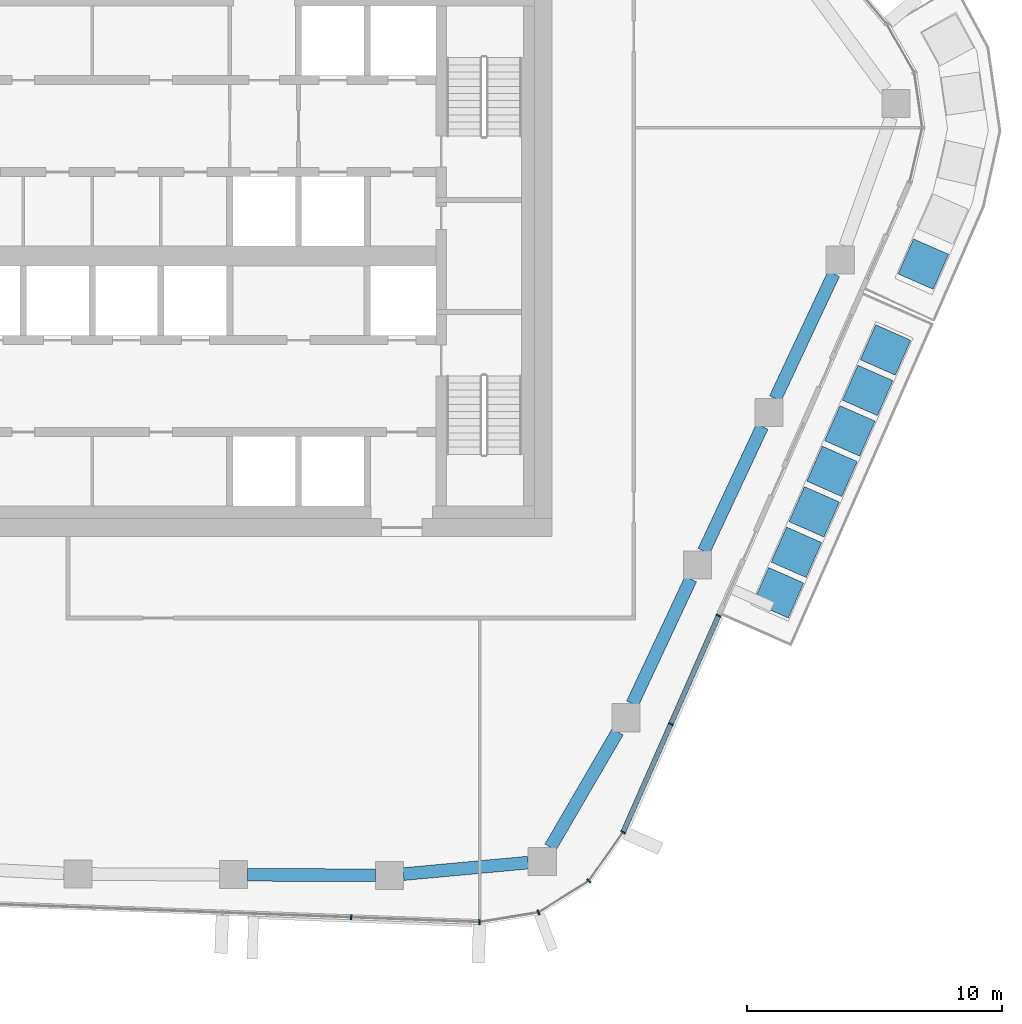
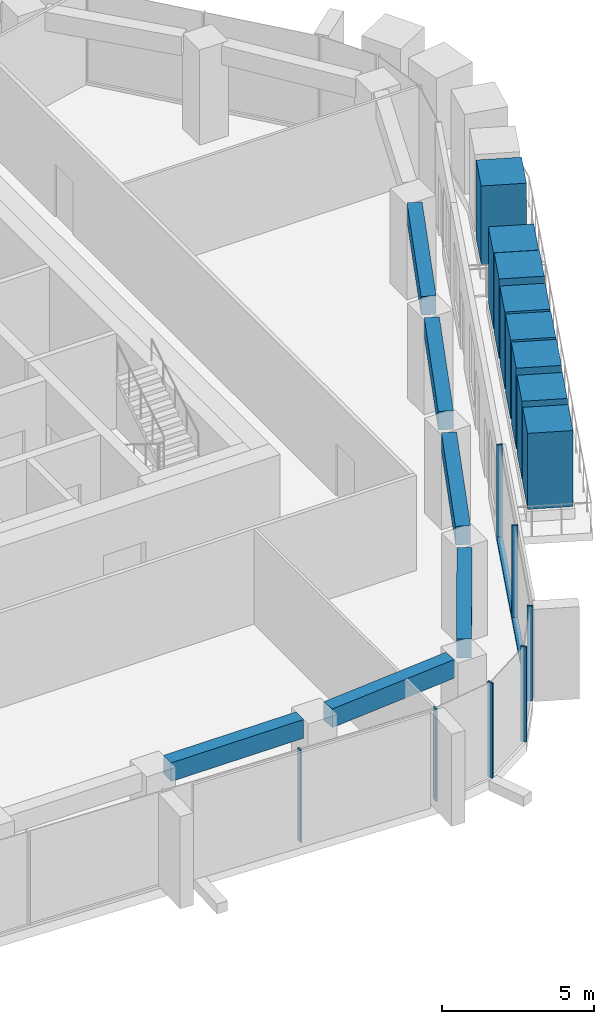
# One storey, part 5 of 21: 16 members, 6 beams, 3 elements without a shape of their own.
"""IFC4 building model written with IfcOpenShell, lengths in metres."""

from ifc_helpers import new_model, si_unit, direction, frame, origin, origin_2d, place, context, subcontext, project, spatial, rectangle, extrude, material, layer, layer_set, material_profile, profile_set, type_object, element, aggregate, save


model = new_model("IFC4")

# Units and contexts
model_context = context("Model", 3, precision=1e-05, world=origin(), true_north=direction((0.0, 1.0)))
body_context = subcontext(model_context, "Body", "Model", "MODEL_VIEW")
ifc_project = project(units=[si_unit("LENGTHUNIT", "METRE"), si_unit("AREAUNIT", "SQUARE_METRE"), si_unit("VOLUMEUNIT", "CUBIC_METRE"), si_unit("PLANEANGLEUNIT", "RADIAN"), si_unit("MASSUNIT", "GRAM", prefix="KILO")], contexts=[model_context])

# Site, building, storey
site_placement = place(None, origin())
site = spatial("IfcSite", under=ifc_project, at=site_placement, CompositionType="ELEMENT")
building_placement = place(site_placement, origin())
building = spatial("IfcBuilding", under=site, at=building_placement, Name="Dongbaek Canopy Tower", CompositionType="ELEMENT")
storey_placement = place(building_placement, frame((0.0, 0.0, 270.60009765625)))
storey = spatial("IfcBuildingStorey", under=building, at=storey_placement, Name="L57", CompositionType="ELEMENT", Elevation=270.60009765625)

# Curtain wall, members
ifc_material_1 = material(Name="Aluminium 6063-T6 pale anodised", Category="aluminium")
ifc_layer = layer(ifc_material_1, 0.199951171875)
ifc_layer_set = layer_set([ifc_layer], Name="CW-1 unitised tower curtain wall")
curtain_wall_type = type_object("IfcCurtainWallType", Name="CW-1 unitised tower curtain wall", PredefinedType="NOTDEFINED", material=ifc_layer_set)
curtain_wall_1_placement = place(storey_placement, origin())
curtain_wall_1 = element("IfcCurtainWall", 1, at=curtain_wall_1_placement, inside=storey, type_object=curtain_wall_type, Name="CW-1 curtain wall F4.1", PredefinedType="NOTDEFINED")
ifc_material_2 = material(Name="Aluminium 6063-T6 pale anodised", Category="aluminium")
ifc_material_profile_1 = material_profile(ifc_material_2, rectangle(XDim=0.199951171875, YDim=0.06005859375, at=origin_2d()), Name="CW-1 mullion 60 x 200")
ifc_profile_set_1 = profile_set([ifc_material_profile_1], Name="Aluminium 6063-T6 pale anodised")
member_type_1 = type_object("IfcMemberType", Name="CW-1 mullion 60 x 200", PredefinedType="MULLION", material=ifc_profile_set_1)
member_1_placement = place(storey_placement, frame((6.1162109375, -25.944091796875, 0.119873046875), z_axis=(0.0, 0.0, 1.0), x_axis=(-0.036873891921, -0.999319926798, 0.0)))
member_1 = element("IfcMember", 2, at=member_1_placement, type_object=member_type_1, Name="CW-1 mullion F4.1.4", PredefinedType="MULLION", context=body_context, shape_type="SweptSolid", body=[
    extrude(rectangle(XDim=0.199951171875, YDim=0.06005859375, at=origin_2d()), origin(), (0.0, 0.0, 1.0), 3.699951171875),
])
member_2_placement = place(storey_placement, frame((11.155029296875, -26.1298828125, 0.119873046875), z_axis=(0.0, 0.0, 1.0), x_axis=(-0.036873891921, -0.999319926798, 0.0)))
member_2 = element("IfcMember", 3, at=member_2_placement, type_object=member_type_1, Name="CW-1 mullion F4.1.5", PredefinedType="MULLION", context=body_context, shape_type="SweptSolid", body=[
    extrude(rectangle(XDim=0.199951171875, YDim=0.06005859375, at=origin_2d()), origin(), (0.0, 0.0, 1.0), 3.699951171875),
])
aggregate(curtain_wall_1, [member_1, member_2])

curtain_wall_2_placement = place(storey_placement, origin())
curtain_wall_2 = element("IfcCurtainWall", 4, at=curtain_wall_2_placement, inside=storey, type_object=curtain_wall_type, Name="CW-1 curtain wall K5.1", PredefinedType="NOTDEFINED")
member_3_placement = place(storey_placement, frame((13.4638671875, -25.7529296875, 0.0), z_axis=(0.0, 0.0, 1.0), x_axis=(0.352874596106, -0.9356706255, 0.0)))
member_3 = element("IfcMember", 5, at=member_3_placement, type_object=member_type_1, Name="CW-1 mullion K5.1.2", PredefinedType="MULLION", context=body_context, shape_type="SweptSolid", body=[
    extrude(rectangle(XDim=0.199951171875, YDim=0.06005859375, at=origin_2d()), origin(), (0.0, 0.0, 1.0), 3.81982421875),
])
member_4_placement = place(storey_placement, frame((15.43798828125, -24.516845703125, 0.0), z_axis=(0.0, 0.0, 1.0), x_axis=(0.687590485044, -0.726098701884, 0.0)))
member_4 = element("IfcMember", 6, at=member_4_placement, type_object=member_type_1, Name="CW-1 mullion K5.1.3", PredefinedType="MULLION", context=body_context, shape_type="SweptSolid", body=[
    extrude(rectangle(XDim=0.199951171875, YDim=0.06005859375, at=origin_2d()), origin(), (0.0, 0.0, 1.0), 3.81982421875),
])
member_5_placement = place(storey_placement, frame((16.78564453125, -22.604736328125, 0.0), z_axis=(0.0, 0.0, 1.0), x_axis=(0.817425439524, -0.576034418085, 0.0)))
member_5 = element("IfcMember", 7, at=member_5_placement, type_object=member_type_1, Name="CW-1 mullion K5.1.4", PredefinedType="MULLION", context=body_context, shape_type="SweptSolid", body=[
    extrude(rectangle(XDim=0.199951171875, YDim=0.06005859375, at=origin_2d()), origin(), (0.0, 0.0, 1.0), 3.81982421875),
])
aggregate(curtain_wall_2, [member_3, member_4, member_5])

curtain_wall_3_placement = place(storey_placement, origin())
curtain_wall_3 = element("IfcCurtainWall", 8, at=curtain_wall_3_placement, inside=storey, type_object=curtain_wall_type, Name="CW-1 curtain wall F5.1", PredefinedType="NOTDEFINED")
member_6_placement = place(storey_placement, frame((18.656005859375, -18.3603515625, 0.119873046875), z_axis=(0.0, 0.0, 1.0), x_axis=(0.915073119112, -0.403287969917, 0.0)))
member_6 = element("IfcMember", 9, at=member_6_placement, type_object=member_type_1, Name="CW-1 mullion F5.1.2", PredefinedType="MULLION", context=body_context, shape_type="SweptSolid", body=[
    extrude(rectangle(XDim=0.199951171875, YDim=0.06005859375, at=origin_2d()), origin(), (0.0, 0.0, 1.0), 3.699951171875),
])
member_7_placement = place(storey_placement, frame((20.530517578125, -14.107177734375, 0.119873046875), z_axis=(0.0, 0.0, 1.0), x_axis=(0.915073119112, -0.403287969917, 0.0)))
member_7 = element("IfcMember", 10, at=member_7_placement, type_object=member_type_1, Name="CW-1 mullion F5.1.3", PredefinedType="MULLION", context=body_context, shape_type="SweptSolid", body=[
    extrude(rectangle(XDim=0.199951171875, YDim=0.06005859375, at=origin_2d()), origin(), (0.0, 0.0, 1.0), 3.699951171875),
])
ifc_material_3 = material(Name="Aluminium 6063-T6 pale anodised", Category="aluminium")
ifc_material_profile_2 = material_profile(ifc_material_3, rectangle(XDim=0.199951171875, YDim=0.1201171875, at=origin_2d()), Name="CW-1 transom 120 x 200")
ifc_profile_set_2 = profile_set([ifc_material_profile_2], Name="Aluminium 6063-T6 pale anodised")
member_type_2 = type_object("IfcMemberType", Name="CW-1 transom 120 x 200", PredefinedType="USERDEFINED", material=ifc_profile_set_2)
member_8_placement = place(storey_placement, frame((16.78564453125, -22.604736328125, 0.059814453125), z_axis=(0.403275110691, 0.915078786278, 0.0), x_axis=(-0.915078786278, 0.403275110691, 0.0)))
member_8 = element("IfcMember", 11, at=member_8_placement, type_object=member_type_2, Name="CW-1 transom F5.1.1", ObjectType="TRANSOM", PredefinedType="USERDEFINED", context=body_context, shape_type="SweptSolid", body=[
    extrude(rectangle(XDim=0.199951171875, YDim=0.1201171875, at=origin_2d()), origin(), (0.0, 0.0, 1.0), 9.2861328125),
])
aggregate(curtain_wall_3, [member_6, member_7, member_8])

# Beams
ifc_material_4 = material(Name="Concrete C70", Category="concrete")
ifc_material_profile_3 = material_profile(ifc_material_4, rectangle(XDim=0.5, YDim=0.75, at=origin_2d()), Name="RC EDGE BEAM 500x750 C70")
ifc_profile_set_3 = profile_set([ifc_material_profile_3], Name="Concrete C70")
beam_type = type_object("IfcBeamType", Name="RC EDGE BEAM 500x750 C70", PredefinedType="BEAM", material=ifc_profile_set_3)
beam_1_placement = place(storey_placement, frame((13.06201171875, -23.796875, 3.44482421875), z_axis=(-0.995758214652, -0.092008575434, 0.0), x_axis=(0.092008575434, -0.995758214652, 0.0)))
element("IfcBeam", 12, at=beam_1_placement, inside=storey, type_object=beam_type, Name="EDGEBEAM:L57:00", PredefinedType="BEAM", context=body_context, shape_type="SweptSolid", body=[
    extrude(rectangle(XDim=0.5, YDim=0.75, at=origin_2d()), origin(), (0.0, 0.0, 1.0), 4.916748046875),
])
beam_2_placement = place(storey_placement, frame((7.06591796875, -24.297607421875, 3.44482421875), z_axis=(-0.999989301171, 0.004625747851, 0.0), x_axis=(-0.004625747851, -0.999989301171, 0.0)))
element("IfcBeam", 13, at=beam_2_placement, inside=storey, type_object=beam_type, Name="EDGEBEAM:L57:01", PredefinedType="BEAM", context=body_context, shape_type="SweptSolid", body=[
    extrude(rectangle(XDim=0.5, YDim=0.75, at=origin_2d()), origin(), (0.0, 0.0, 1.0), 5.013916015625),
])
beam_3_placement = place(storey_placement, frame((25.04443359375, -0.701904296875, 3.44482421875), z_axis=(-0.423972479832, -0.905675072167, 0.0), x_axis=(0.905675072167, -0.423972479832, 0.0)))
element("IfcBeam", 14, at=beam_3_placement, inside=storey, type_object=beam_type, Name="EDGEBEAM:L57:22", PredefinedType="BEAM", context=body_context, shape_type="SweptSolid", body=[
    extrude(rectangle(XDim=0.5, YDim=0.75, at=origin_2d()), origin(), (0.0, 0.0, 1.0), 5.396240234375),
])
beam_4_placement = place(storey_placement, frame((22.241455078125, -6.68896484375, 3.44482421875), z_axis=(-0.424105880993, -0.905612611279, 0.0), x_axis=(0.905612611279, -0.424105880993, 0.0)))
element("IfcBeam", 15, at=beam_4_placement, inside=storey, type_object=beam_type, Name="EDGEBEAM:L57:23", PredefinedType="BEAM", context=body_context, shape_type="SweptSolid", body=[
    extrude(rectangle(XDim=0.5, YDim=0.75, at=origin_2d()), origin(), (0.0, 0.0, 1.0), 5.3974609375),
])
beam_5_placement = place(storey_placement, frame((19.437255859375, -12.677001953125, 3.44482421875), z_axis=(-0.424249579949, -0.905545301966, 0.0), x_axis=(0.905545301966, -0.424249579949, 0.0)))
element("IfcBeam", 16, at=beam_5_placement, inside=storey, type_object=beam_type, Name="EDGEBEAM:L57:24", PredefinedType="BEAM", context=body_context, shape_type="SweptSolid", body=[
    extrude(rectangle(XDim=0.5, YDim=0.75, at=origin_2d()), origin(), (0.0, 0.0, 1.0), 5.396728515625),
])
beam_6_placement = place(storey_placement, frame((16.56982421875, -18.6640625, 3.44482421875), z_axis=(-0.503022590015, -0.864273263462, 0.0), x_axis=(0.864273263462, -0.503022590015, 0.0)))
element("IfcBeam", 17, at=beam_6_placement, inside=storey, type_object=beam_type, Name="EDGEBEAM:L57:25", PredefinedType="BEAM", context=body_context, shape_type="SweptSolid", body=[
    extrude(rectangle(XDim=0.5, YDim=0.75, at=origin_2d()), origin(), (0.0, 0.0, 1.0), 5.24365234375),
])

# Members
ifc_material_5 = material(Name="Concrete C40/50 planter mass with planting", Category="concrete")
ifc_material_profile_4 = material_profile(ifc_material_5, rectangle(XDim=1.5, YDim=1.5, at=origin_2d()), Name="Terrace PLANTER shrub mass 1500 x 1500")
ifc_profile_set_4 = profile_set([ifc_material_profile_4], Name="Concrete C40/50 planter mass with planting")
member_type_3 = type_object("IfcMemberType", Name="Terrace PLANTER shrub mass 1500 x 1500", PredefinedType="USERDEFINED", material=ifc_profile_set_4)
member_9_placement = place(storey_placement, frame((22.88134765625, -13.211669921875, 0.419921875), z_axis=(0.0, 0.0, 1.0), x_axis=(0.915073119112, -0.403287969917, 0.0)))
element("IfcMember", 18, at=member_9_placement, inside=storey, type_object=member_type_3, Name="Planter shrubs L57 3.1", ObjectType="PLANTER", PredefinedType="USERDEFINED", context=body_context, shape_type="SweptSolid", body=[
    extrude(rectangle(XDim=1.5, YDim=1.5, at=origin_2d()), origin(), (0.0, 0.0, 1.0), 3.050048828125),
])
member_10_placement = place(storey_placement, frame((23.5810546875, -11.6240234375, 0.419921875), z_axis=(0.0, 0.0, 1.0), x_axis=(0.915073119112, -0.403287969917, 0.0)))
element("IfcMember", 19, at=member_10_placement, inside=storey, type_object=member_type_3, Name="Planter shrubs L57 3.2", ObjectType="PLANTER", PredefinedType="USERDEFINED", context=body_context, shape_type="SweptSolid", body=[
    extrude(rectangle(XDim=1.5, YDim=1.5, at=origin_2d()), origin(), (0.0, 0.0, 1.0), 3.1298828125),
])
member_11_placement = place(storey_placement, frame((24.28076171875, -10.03662109375, 0.419921875), z_axis=(0.0, 0.0, 1.0), x_axis=(0.915073119112, -0.403287969917, 0.0)))
element("IfcMember", 20, at=member_11_placement, inside=storey, type_object=member_type_3, Name="Planter shrubs L57 3.3", ObjectType="PLANTER", PredefinedType="USERDEFINED", context=body_context, shape_type="SweptSolid", body=[
    extrude(rectangle(XDim=1.5, YDim=1.5, at=origin_2d()), origin(), (0.0, 0.0, 1.0), 3.25),
])
member_12_placement = place(storey_placement, frame((24.980224609375, -8.448974609375, 0.419921875), z_axis=(0.0, 0.0, 1.0), x_axis=(0.915073119112, -0.403287969917, 0.0)))
element("IfcMember", 21, at=member_12_placement, inside=storey, type_object=member_type_3, Name="Planter shrubs L57 3.4", ObjectType="PLANTER", PredefinedType="USERDEFINED", context=body_context, shape_type="SweptSolid", body=[
    extrude(rectangle(XDim=1.5, YDim=1.5, at=origin_2d()), origin(), (0.0, 0.0, 1.0), 3.169921875),
])
member_13_placement = place(storey_placement, frame((25.679931640625, -6.861328125, 0.419921875), z_axis=(0.0, 0.0, 1.0), x_axis=(0.915073119112, -0.403287969917, 0.0)))
element("IfcMember", 22, at=member_13_placement, inside=storey, type_object=member_type_3, Name="Planter shrubs L57 3.5", ObjectType="PLANTER", PredefinedType="USERDEFINED", context=body_context, shape_type="SweptSolid", body=[
    extrude(rectangle(XDim=1.5, YDim=1.5, at=origin_2d()), origin(), (0.0, 0.0, 1.0), 3.090087890625),
])
member_14_placement = place(storey_placement, frame((26.379638671875, -5.27392578125, 0.419921875), z_axis=(0.0, 0.0, 1.0), x_axis=(0.915073119112, -0.403287969917, 0.0)))
element("IfcMember", 23, at=member_14_placement, inside=storey, type_object=member_type_3, Name="Planter shrubs L57 3.6", ObjectType="PLANTER", PredefinedType="USERDEFINED", context=body_context, shape_type="SweptSolid", body=[
    extrude(rectangle(XDim=1.5, YDim=1.5, at=origin_2d()), origin(), (0.0, 0.0, 1.0), 3.2099609375),
])
member_15_placement = place(storey_placement, frame((27.079345703125, -3.686279296875, 0.419921875), z_axis=(0.0, 0.0, 1.0), x_axis=(0.915073119112, -0.403287969917, 0.0)))
element("IfcMember", 24, at=member_15_placement, inside=storey, type_object=member_type_3, Name="Planter shrubs L57 3.7", ObjectType="PLANTER", PredefinedType="USERDEFINED", context=body_context, shape_type="SweptSolid", body=[
    extrude(rectangle(XDim=1.5, YDim=1.5, at=origin_2d()), origin(), (0.0, 0.0, 1.0), 3.050048828125),
])
member_16_placement = place(storey_placement, frame((28.562255859375, -0.31689453125, 0.419921875), z_axis=(0.0, 0.0, 1.0), x_axis=(0.915837500878, -0.40154909038, 0.0)))
element("IfcMember", 25, at=member_16_placement, inside=storey, type_object=member_type_3, Name="Planter shrubs L57 4.1", ObjectType="PLANTER", PredefinedType="USERDEFINED", context=body_context, shape_type="SweptSolid", body=[
    extrude(rectangle(XDim=1.5, YDim=1.5, at=origin_2d()), origin(), (0.0, 0.0, 1.0), 3.169921875),
])

save(model, "model.ifc")
